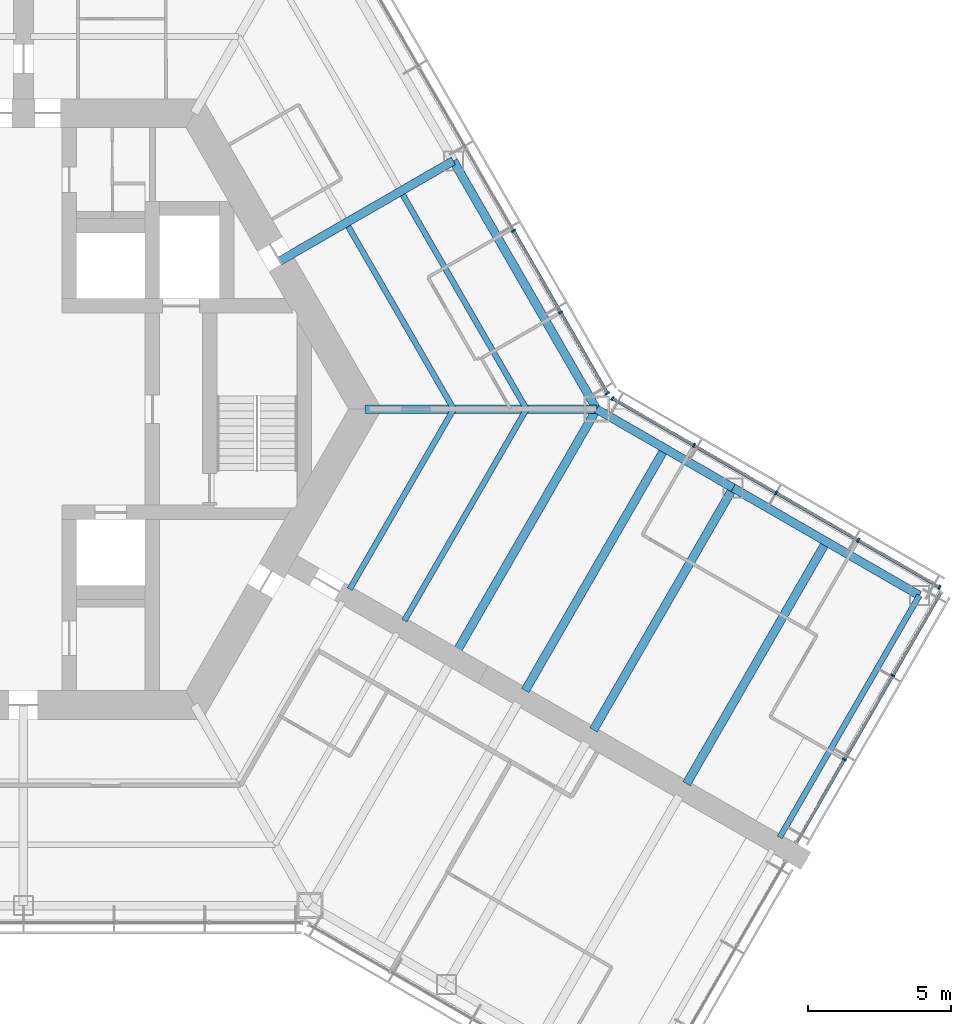
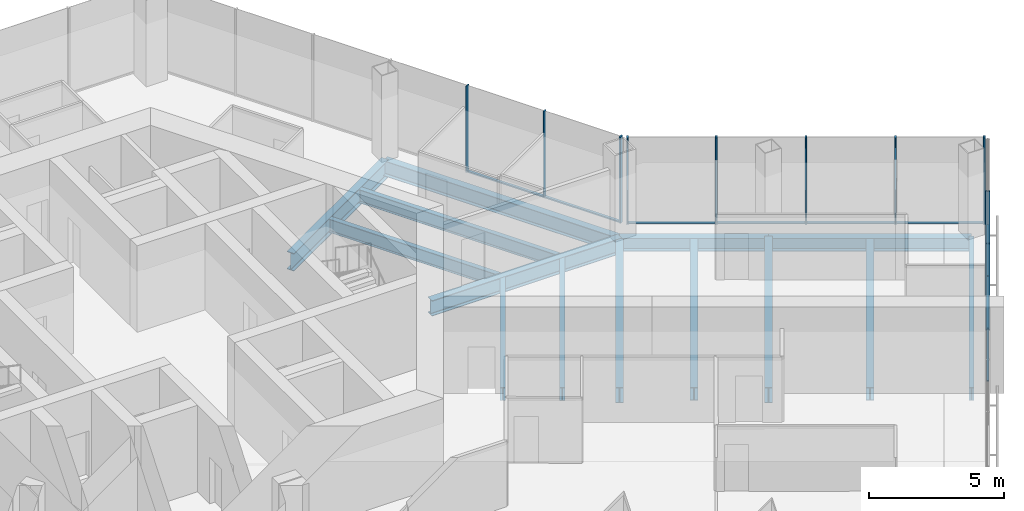
# One storey, part 6 of 18: 19 members, 14 beams, 3 elements without a shape of their own.
"""IFC4 building model written with IfcOpenShell, lengths in metres."""

from ifc_helpers import new_model, si_unit, direction, frame, origin, origin_2d, place, context, subcontext, project, spatial, rectangle, i_section, extrude, material, material_profile, profile_set, type_object, element, aggregate, save


model = new_model("IFC4")

# Units and contexts
model_context = context("Model", 3, precision=1e-05, world=origin(), true_north=direction((0.0, 1.0)))
body_context = subcontext(model_context, "Body", "Model", "MODEL_VIEW")
ifc_project = project(units=[si_unit("LENGTHUNIT", "METRE"), si_unit("AREAUNIT", "SQUARE_METRE"), si_unit("VOLUMEUNIT", "CUBIC_METRE"), si_unit("PLANEANGLEUNIT", "RADIAN"), si_unit("MASSUNIT", "GRAM", prefix="KILO")], contexts=[model_context])

# Site, building, storey
site_placement = place(None, origin())
site = spatial("IfcSite", under=ifc_project, at=site_placement, CompositionType="ELEMENT")
building_placement = place(site_placement, origin())
building = spatial("IfcBuilding", under=site, at=building_placement, Name="Kasaneha Research Tower", CompositionType="ELEMENT")
storey_placement = place(building_placement, frame((0.0, 0.0, 133.10009765625)))
storey = spatial("IfcBuildingStorey", under=building, at=storey_placement, Name="L33", CompositionType="ELEMENT", Elevation=133.10009765625)

# Beams
ifc_material_1 = material(Name="Steel SN490B", Category="steel")
ifc_material_profile_1 = material_profile(ifc_material_1, i_section(OverallWidth=0.199951171875, OverallDepth=0.60009765625, WebThickness=0.010986328125, FlangeThickness=0.01708984375, FilletRadius=0.012939453125, at=origin_2d()), Name="H-600x200x11x17")
ifc_profile_set_1 = profile_set([ifc_material_profile_1], Name="Steel SN490B")
beam_type_1 = type_object("IfcBeamType", Name="B1-3 secondary beam H-600x200x11x17", PredefinedType="JOIST", material=ifc_profile_set_1)
beam_1_placement = place(storey_placement, frame((15.010986328125, 0.0, -0.4501953125), z_axis=(-0.499994443168, 0.866028611999, 0.0), x_axis=(-0.866028611999, -0.499994443168, 0.0)))
element("IfcBeam", 1, at=beam_1_placement, inside=storey, type_object=beam_type_1, Name="Secondary beam RS030L1 L33", PredefinedType="JOIST", context=body_context, shape_type="SweptSolid", body=[
    extrude(i_section(OverallWidth=0.199951171875, OverallDepth=0.60009765625, WebThickness=0.010986328125, FlangeThickness=0.01708984375, FilletRadius=0.012939453125, at=origin_2d()), origin(), (0.0, 0.0, 1.0), 7.35546875),
])
beam_2_placement = place(storey_placement, frame((17.551513671875, 0.0, -0.4501953125), z_axis=(-0.5000050195, 0.866022505755, 0.0), x_axis=(-0.866022505755, -0.5000050195, 0.0)))
element("IfcBeam", 2, at=beam_2_placement, inside=storey, type_object=beam_type_1, Name="Secondary beam RS030L2 L33", PredefinedType="JOIST", context=body_context, shape_type="SweptSolid", body=[
    extrude(i_section(OverallWidth=0.199951171875, OverallDepth=0.60009765625, WebThickness=0.010986328125, FlangeThickness=0.01708984375, FilletRadius=0.012939453125, at=origin_2d()), origin(), (0.0, 0.0, 1.0), 8.6259765625),
])
beam_3_placement = place(storey_placement, frame((15.010986328125, 0.0, -0.4501953125), z_axis=(-0.499993340521, -0.866029248602, 0.0), x_axis=(0.866029248602, -0.499993340521, 0.0)))
element("IfcBeam", 3, at=beam_3_placement, inside=storey, type_object=beam_type_1, Name="Secondary beam RS330R1 L33", PredefinedType="JOIST", context=body_context, shape_type="SweptSolid", body=[
    extrude(i_section(OverallWidth=0.199951171875, OverallDepth=0.60009765625, WebThickness=0.010986328125, FlangeThickness=0.01708984375, FilletRadius=0.012939453125, at=origin_2d()), origin(), (0.0, 0.0, 1.0), 7.25537109375),
])
beam_4_placement = place(storey_placement, frame((17.551513671875, 0.0, -0.4501953125), z_axis=(-0.500004205306, -0.866022975836, 0.0), x_axis=(0.866022975836, -0.500004205306, 0.0)))
element("IfcBeam", 4, at=beam_4_placement, inside=storey, type_object=beam_type_1, Name="Secondary beam RS330R2 L33", PredefinedType="JOIST", context=body_context, shape_type="SweptSolid", body=[
    extrude(i_section(OverallWidth=0.199951171875, OverallDepth=0.60009765625, WebThickness=0.010986328125, FlangeThickness=0.01708984375, FilletRadius=0.012939453125, at=origin_2d()), origin(), (0.0, 0.0, 1.0), 8.52587890625),
])
ifc_material_2 = material(Name="Steel SN490B", Category="steel")
ifc_material_profile_2 = material_profile(ifc_material_2, i_section(OverallWidth=0.300048828125, OverallDepth=0.58203125, WebThickness=0.011962890625, FlangeThickness=0.01708984375, FilletRadius=0.012939453125, at=origin_2d()), Name="H-582x300x12x17")
ifc_profile_set_2 = profile_set([ifc_material_profile_2], Name="Steel SN490B")
beam_type_2 = type_object("IfcBeamType", Name="B2-3 secondary beam H-582x300x12x17", PredefinedType="JOIST", material=ifc_profile_set_2)
for number, where, z_axis, x_axis, name in (
    (5, (22.381591796875, -1.375, -0.441162109375), (-0.499995560238, -0.866027967067, 0.0), (0.866027967067, -0.499995560238, 0.0), "Secondary beam WBCN1 L33"),
    (6, (28.0107421875, -4.625, -0.441162109375), (-0.499995560238, -0.866027967067, 0.0), (0.866027967067, -0.499995560238, 0.0), "Secondary beam WBCN2 L33"),
):
    element("IfcBeam", number, at=place(storey_placement, frame(where, z_axis=z_axis, x_axis=x_axis)), inside=storey, type_object=beam_type_2, Name=name, PredefinedType="JOIST", context=body_context, shape_type="SweptSolid", body=[
        extrude(i_section(OverallWidth=0.300048828125, OverallDepth=0.58203125, WebThickness=0.011962890625, FlangeThickness=0.01708984375, FilletRadius=0.012939453125, at=origin_2d()), origin(), (0.0, 0.0, 1.0), 9.75),
    ])

# Curtain wall, members
ifc_material_3 = material(Name="Glass and aluminium", Category="aluminium")
curtain_wall_type = type_object("IfcCurtainWallType", Name="Mid-rise office curtain wall", PredefinedType="USERDEFINED", material=ifc_material_3)
curtain_wall_1_placement = place(storey_placement, origin())
curtain_wall_1 = element("IfcCurtainWall", 7, at=curtain_wall_1_placement, inside=storey, type_object=curtain_wall_type, Name="CW-O2 L33 run 04a", ObjectType="UNITISED CURTAIN WALL", PredefinedType="USERDEFINED")
ifc_material_4 = material(Name="Aluminium 6063-T6", Category="aluminium")
ifc_material_profile_3 = material_profile(ifc_material_4, rectangle(XDim=0.06005859375, YDim=0.14990234375, at=origin_2d()), Name="CW-O2 mullion 60x150")
ifc_profile_set_3 = profile_set([ifc_material_profile_3], Name="Aluminium 6063-T6")
member_type_1 = type_object("IfcMemberType", Name="CW-O2 mullion", PredefinedType="MULLION", material=ifc_profile_set_3)
member_1_placement = place(storey_placement, frame((28.64453125, -12.22705078125, 0.0), z_axis=(0.0, 0.0, 1.0), x_axis=(0.500000011442, 0.866025397178, 0.0)))
member_1 = element("IfcMember", 8, at=member_1_placement, type_object=member_type_1, Name="CW-O2 mullion 2", PredefinedType="MULLION", context=body_context, shape_type="SweptSolid", body=[
    extrude(rectangle(XDim=0.06005859375, YDim=0.14990234375, at=origin_2d()), origin(), (0.0, 0.0, 1.0), 3.89990234375),
])
member_2_placement = place(storey_placement, frame((30.336181640625, -9.297119140625, 0.0), z_axis=(0.0, 0.0, 1.0), x_axis=(0.500000011442, 0.866025397178, 0.0)))
member_2 = element("IfcMember", 9, at=member_2_placement, type_object=member_type_1, Name="CW-O2 mullion 3", PredefinedType="MULLION", context=body_context, shape_type="SweptSolid", body=[
    extrude(rectangle(XDim=0.06005859375, YDim=0.14990234375, at=origin_2d()), origin(), (0.0, 0.0, 1.0), 3.89990234375),
])

curtain_wall_2_placement = place(storey_placement, origin())
curtain_wall_2 = element("IfcCurtainWall", 10, at=curtain_wall_2_placement, inside=storey, type_object=curtain_wall_type, Name="CW-O2 L33 run 05a", ObjectType="UNITISED CURTAIN WALL", PredefinedType="USERDEFINED")
member_3_placement = place(storey_placement, frame((31.96533203125, -6.21533203125, 0.0), z_axis=(0.0, 0.0, 1.0), x_axis=(-0.866025411464, 0.499999986699, 0.0)))
member_3 = element("IfcMember", 11, at=member_3_placement, type_object=member_type_1, Name="CW-O2 mullion 1", PredefinedType="MULLION", context=body_context, shape_type="SweptSolid", body=[
    extrude(rectangle(XDim=0.06005859375, YDim=0.14990234375, at=origin_2d()), origin(), (0.0, 0.0, 1.0), 3.89990234375),
])
member_4_placement = place(storey_placement, frame((29.125, -4.575439453125, 0.0), z_axis=(0.0, 0.0, 1.0), x_axis=(-0.866025411464, 0.499999986699, 0.0)))
member_4 = element("IfcMember", 12, at=member_4_placement, type_object=member_type_1, Name="CW-O2 mullion 2", PredefinedType="MULLION", context=body_context, shape_type="SweptSolid", body=[
    extrude(rectangle(XDim=0.06005859375, YDim=0.14990234375, at=origin_2d()), origin(), (0.0, 0.0, 1.0), 3.89990234375),
])
member_5_placement = place(storey_placement, frame((26.258544921875, -2.920654296875, 0.0), z_axis=(0.0, 0.0, 1.0), x_axis=(-0.866025411464, 0.499999986699, 0.0)))
member_5 = element("IfcMember", 13, at=member_5_placement, type_object=member_type_1, Name="CW-O2 mullion 3", PredefinedType="MULLION", context=body_context, shape_type="SweptSolid", body=[
    extrude(rectangle(XDim=0.06005859375, YDim=0.14990234375, at=origin_2d()), origin(), (0.0, 0.0, 1.0), 3.89990234375),
])
member_6_placement = place(storey_placement, frame((23.39208984375, -1.265625, 0.0), z_axis=(0.0, 0.0, 1.0), x_axis=(-0.866025411464, 0.499999986699, 0.0)))
member_6 = element("IfcMember", 14, at=member_6_placement, type_object=member_type_1, Name="CW-O2 mullion 4", PredefinedType="MULLION", context=body_context, shape_type="SweptSolid", body=[
    extrude(rectangle(XDim=0.06005859375, YDim=0.14990234375, at=origin_2d()), origin(), (0.0, 0.0, 1.0), 3.89990234375),
])
member_7_placement = place(storey_placement, frame((20.5517578125, 0.374267578125, 0.0), z_axis=(0.0, 0.0, 1.0), x_axis=(-0.866025411464, 0.499999986699, 0.0)))
member_7 = element("IfcMember", 15, at=member_7_placement, type_object=member_type_1, Name="CW-O2 mullion 5", PredefinedType="MULLION", context=body_context, shape_type="SweptSolid", body=[
    extrude(rectangle(XDim=0.06005859375, YDim=0.14990234375, at=origin_2d()), origin(), (0.0, 0.0, 1.0), 3.89990234375),
])

curtain_wall_3_placement = place(storey_placement, origin())
curtain_wall_3 = element("IfcCurtainWall", 16, at=curtain_wall_3_placement, inside=storey, type_object=curtain_wall_type, Name="CW-O2 L33 run 06a", ObjectType="UNITISED CURTAIN WALL", PredefinedType="USERDEFINED")
member_8_placement = place(storey_placement, frame((20.374267578125, 0.5517578125, 0.0), z_axis=(0.0, 0.0, 1.0), x_axis=(-0.499999979232, 0.866025415775, 0.0)))
member_8 = element("IfcMember", 17, at=member_8_placement, type_object=member_type_1, Name="CW-O2 mullion 1", PredefinedType="MULLION", context=body_context, shape_type="SweptSolid", body=[
    extrude(rectangle(XDim=0.06005859375, YDim=0.14990234375, at=origin_2d()), origin(), (0.0, 0.0, 1.0), 3.89990234375),
])
member_9_placement = place(storey_placement, frame((18.7451171875, 3.373291015625, 0.0), z_axis=(0.0, 0.0, 1.0), x_axis=(-0.499999979232, 0.866025415775, 0.0)))
member_9 = element("IfcMember", 18, at=member_9_placement, type_object=member_type_1, Name="CW-O2 mullion 2", PredefinedType="MULLION", context=body_context, shape_type="SweptSolid", body=[
    extrude(rectangle(XDim=0.06005859375, YDim=0.14990234375, at=origin_2d()), origin(), (0.0, 0.0, 1.0), 3.89990234375),
])
member_10_placement = place(storey_placement, frame((17.10107421875, 6.220947265625, 0.0), z_axis=(0.0, 0.0, 1.0), x_axis=(-0.499999979232, 0.866025415775, 0.0)))
member_10 = element("IfcMember", 19, at=member_10_placement, type_object=member_type_1, Name="CW-O2 mullion 3", PredefinedType="MULLION", context=body_context, shape_type="SweptSolid", body=[
    extrude(rectangle(XDim=0.06005859375, YDim=0.14990234375, at=origin_2d()), origin(), (0.0, 0.0, 1.0), 3.89990234375),
])

# Member
ifc_material_5 = material(Name="Aluminium 6063-T6", Category="aluminium")
ifc_material_profile_4 = material_profile(ifc_material_5, rectangle(XDim=0.110107421875, YDim=0.06005859375, at=origin_2d()), Name="CW-O2 transom 110x60")
ifc_profile_set_4 = profile_set([ifc_material_profile_4], Name="Aluminium 6063-T6")
member_type_2 = type_object("IfcMemberType", Name="CW-O2 transom", PredefinedType="USERDEFINED", material=ifc_profile_set_4)
member_11_placement = place(storey_placement, frame((26.98291015625, -15.105224609375, 0.02978515625), z_axis=(0.500021914551, 0.866012751043, 0.0), x_axis=(-0.866012751043, 0.500021914551, 0.0)))
member_11 = element("IfcMember", 20, at=member_11_placement, type_object=member_type_2, Name="CW-O2 transom 1", ObjectType="TRANSOM", PredefinedType="USERDEFINED", context=body_context, shape_type="SweptSolid", body=[
    extrude(rectangle(XDim=0.110107421875, YDim=0.06005859375, at=origin_2d()), origin(), (0.0, 0.0, 1.0), 3.293212890625),
])

member_12_placement = place(storey_placement, frame((28.65966796875, -12.201171875, 0.02978515625), z_axis=(0.499978935311, 0.866037565146, 0.0), x_axis=(-0.866037565146, 0.499978935311, 0.0)))
member_12 = element("IfcMember", 21, at=member_12_placement, type_object=member_type_2, Name="CW-O2 transom 2", ObjectType="TRANSOM", PredefinedType="USERDEFINED", context=body_context, shape_type="SweptSolid", body=[
    extrude(rectangle(XDim=0.110107421875, YDim=0.06005859375, at=origin_2d()), origin(), (0.0, 0.0, 1.0), 3.323486328125),
])

member_13_placement = place(storey_placement, frame((30.351318359375, -9.27099609375, 0.02978515625), z_axis=(0.500021914551, 0.866012751043, 0.0), x_axis=(-0.866012751043, 0.500021914551, 0.0)))
member_13 = element("IfcMember", 22, at=member_13_placement, type_object=member_type_2, Name="CW-O2 transom 3", ObjectType="TRANSOM", PredefinedType="USERDEFINED", context=body_context, shape_type="SweptSolid", body=[
    extrude(rectangle(XDim=0.110107421875, YDim=0.06005859375, at=origin_2d()), origin(), (0.0, 0.0, 1.0), 3.293212890625),
])

aggregate(curtain_wall_1, [member_1, member_2, member_11, member_12, member_13])

member_14_placement = place(storey_placement, frame((31.939453125, -6.200439453125, 0.02978515625), z_axis=(-0.866041647767, 0.499971863542, 0.0), x_axis=(-0.499971863542, -0.866041647767, 0.0)))
member_14 = element("IfcMember", 23, at=member_14_placement, type_object=member_type_2, Name="CW-O2 transom 1", ObjectType="TRANSOM", PredefinedType="USERDEFINED", context=body_context, shape_type="SweptSolid", body=[
    extrude(rectangle(XDim=0.110107421875, YDim=0.06005859375, at=origin_2d()), origin(), (0.0, 0.0, 1.0), 3.219970703125),
])

member_15_placement = place(storey_placement, frame((29.098876953125, -4.560546875, 0.02978515625), z_axis=(-0.86599666273, 0.500049777664, 0.0), x_axis=(-0.500049777664, -0.86599666273, 0.0)))
member_15 = element("IfcMember", 24, at=member_15_placement, type_object=member_type_2, Name="CW-O2 transom 2", ObjectType="TRANSOM", PredefinedType="USERDEFINED", context=body_context, shape_type="SweptSolid", body=[
    extrude(rectangle(XDim=0.110107421875, YDim=0.06005859375, at=origin_2d()), origin(), (0.0, 0.0, 1.0), 3.249755859375),
])

member_16_placement = place(storey_placement, frame((26.232666015625, -2.905517578125, 0.02978515625), z_axis=(-0.86604797581, 0.499960902066, 0.0), x_axis=(-0.499960902066, -0.86604797581, 0.0)))
member_16 = element("IfcMember", 25, at=member_16_placement, type_object=member_type_2, Name="CW-O2 transom 3", ObjectType="TRANSOM", PredefinedType="USERDEFINED", context=body_context, shape_type="SweptSolid", body=[
    extrude(rectangle(XDim=0.110107421875, YDim=0.06005859375, at=origin_2d()), origin(), (0.0, 0.0, 1.0), 3.249755859375),
])

member_17_placement = place(storey_placement, frame((23.3662109375, -1.250732421875, 0.02978515625), z_axis=(-0.866022692473, 0.500004696101, 0.0), x_axis=(-0.500004696101, -0.866022692473, 0.0)))
member_17 = element("IfcMember", 26, at=member_17_placement, type_object=member_type_2, Name="CW-O2 transom 4", ObjectType="TRANSOM", PredefinedType="USERDEFINED", context=body_context, shape_type="SweptSolid", body=[
    extrude(rectangle(XDim=0.110107421875, YDim=0.06005859375, at=origin_2d()), origin(), (0.0, 0.0, 1.0), 3.2197265625),
])

aggregate(curtain_wall_2, [member_3, member_4, member_5, member_6, member_7, member_14, member_15, member_16, member_17])

member_18_placement = place(storey_placement, frame((20.359130859375, 0.577880859375, 0.02978515625), z_axis=(-0.499973578025, 0.866040657981, 0.0), x_axis=(-0.866040657981, -0.499973578025, 0.0)))
member_18 = element("IfcMember", 27, at=member_18_placement, type_object=member_type_2, Name="CW-O2 transom 1", ObjectType="TRANSOM", PredefinedType="USERDEFINED", context=body_context, shape_type="SweptSolid", body=[
    extrude(rectangle(XDim=0.110107421875, YDim=0.06005859375, at=origin_2d()), origin(), (0.0, 0.0, 1.0), 3.197998046875),
])

member_19_placement = place(storey_placement, frame((18.730224609375, 3.3994140625, 0.02978515625), z_axis=(-0.499986503906, 0.866033195618, 0.0), x_axis=(-0.866033195618, -0.499986503906, 0.0)))
member_19 = element("IfcMember", 28, at=member_19_placement, type_object=member_type_2, Name="CW-O2 transom 2", ObjectType="TRANSOM", PredefinedType="USERDEFINED", context=body_context, shape_type="SweptSolid", body=[
    extrude(rectangle(XDim=0.110107421875, YDim=0.06005859375, at=origin_2d()), origin(), (0.0, 0.0, 1.0), 3.22802734375),
])

aggregate(curtain_wall_3, [member_8, member_9, member_10, member_18, member_19])

# Beams
ifc_material_6 = material(Name="Steel SN490B", Category="steel")
ifc_material_profile_5 = material_profile(ifc_material_6, i_section(OverallWidth=0.300048828125, OverallDepth=0.699951171875, WebThickness=0.012939453125, FlangeThickness=0.02392578125, FilletRadius=0.01806640625, at=origin_2d()), Name="H-700x300x13x24")
ifc_profile_set_5 = profile_set([ifc_material_profile_5], Name="Steel SN490B")
beam_type_3 = type_object("IfcBeamType", Name="G1-3 radial girder H-700x300x13x24", PredefinedType="BEAM", material=ifc_profile_set_5)
beam_5_placement = place(storey_placement, frame((11.92236328125, 0.0, -0.5), z_axis=(1.0, 0.0, 0.0), x_axis=(0.0, 1.0, 0.0)))
element("IfcBeam", 29, at=beam_5_placement, inside=storey, type_object=beam_type_3, Name="Radial girder RV000 L33", PredefinedType="BEAM", context=body_context, shape_type="SweptSolid", body=[
    extrude(i_section(OverallWidth=0.300048828125, OverallDepth=0.699951171875, WebThickness=0.012939453125, FlangeThickness=0.02392578125, FilletRadius=0.01806640625, at=origin_2d()), origin(), (0.0, 0.0, 1.0), 8.07763671875),
])
ifc_material_7 = material(Name="Steel SN490B", Category="steel")
ifc_material_profile_6 = material_profile(ifc_material_7, i_section(OverallWidth=0.300048828125, OverallDepth=0.800048828125, WebThickness=0.013916015625, FlangeThickness=0.02587890625, FilletRadius=0.01806640625, at=origin_2d()), Name="H-800x300x14x26")
ifc_profile_set_6 = profile_set([ifc_material_profile_6], Name="Steel SN490B")
beam_type_4 = type_object("IfcBeamType", Name="G2-3 radial girder H-800x300x14x26", PredefinedType="BEAM", material=ifc_profile_set_6)
beam_6_placement = place(storey_placement, frame((8.941650390625, 5.16259765625, -0.550048828125), z_axis=(0.866039713508, 0.499975214012, 0.0), x_axis=(-0.499975214012, 0.866039713508, 0.0)))
element("IfcBeam", 30, at=beam_6_placement, inside=storey, type_object=beam_type_4, Name="Radial girder RM030 L33", PredefinedType="BEAM", context=body_context, shape_type="SweptSolid", body=[
    extrude(i_section(OverallWidth=0.300048828125, OverallDepth=0.800048828125, WebThickness=0.013916015625, FlangeThickness=0.02587890625, FilletRadius=0.01806640625, at=origin_2d()), origin(), (0.0, 0.0, 1.0), 6.995361328125),
])
ifc_material_8 = material(Name="Steel SN490B", Category="steel")
ifc_material_profile_7 = material_profile(ifc_material_8, i_section(OverallWidth=0.300048828125, OverallDepth=0.69189453125, WebThickness=0.012939453125, FlangeThickness=0.02001953125, FilletRadius=0.01806640625, at=origin_2d()), Name="H-692x300x13x20")
ifc_profile_set_7 = profile_set([ifc_material_profile_7], Name="Steel SN490B")
beam_type_5 = type_object("IfcBeamType", Name="G3-3 plate edge girder H-692x300x13x20", PredefinedType="BEAM", material=ifc_profile_set_7)
beam_7_placement = place(storey_placement, frame((20.0, 0.0, -0.49609375), z_axis=(-0.499995560238, -0.866027967067, 0.0), x_axis=(0.866027967067, -0.499995560238, 0.0)))
element("IfcBeam", 31, at=beam_7_placement, inside=storey, type_object=beam_type_5, Name="Plate edge girder PECN L33", PredefinedType="BEAM", context=body_context, shape_type="SweptSolid", body=[
    extrude(i_section(OverallWidth=0.300048828125, OverallDepth=0.69189453125, WebThickness=0.012939453125, FlangeThickness=0.02001953125, FilletRadius=0.01806640625, at=origin_2d()), origin(), (0.0, 0.0, 1.0), 9.75),
])
ifc_material_9 = material(Name="Steel SN490B", Category="steel")
ifc_material_profile_8 = material_profile(ifc_material_9, i_section(OverallWidth=0.300048828125, OverallDepth=0.699951171875, WebThickness=0.012939453125, FlangeThickness=0.02392578125, FilletRadius=0.01806640625, at=origin_2d()), Name="H-700x300x13x24")
ifc_profile_set_8 = profile_set([ifc_material_profile_8], Name="Steel SN490B")
beam_type_6 = type_object("IfcBeamType", Name="G4-3 wing girder H-700x300x13x24", PredefinedType="BEAM", material=ifc_profile_set_8)
beam_8_placement = place(storey_placement, frame((24.76318359375, -2.75, -0.5), z_axis=(-0.499995560238, -0.866027967067, 0.0), x_axis=(0.866027967067, -0.499995560238, 0.0)))
element("IfcBeam", 32, at=beam_8_placement, inside=storey, type_object=beam_type_6, Name="Wing girder WGCN L33", PredefinedType="BEAM", context=body_context, shape_type="SweptSolid", body=[
    extrude(i_section(OverallWidth=0.300048828125, OverallDepth=0.699951171875, WebThickness=0.012939453125, FlangeThickness=0.02392578125, FilletRadius=0.01806640625, at=origin_2d()), origin(), (0.0, 0.0, 1.0), 9.75),
])
ifc_material_10 = material(Name="Steel SN490B", Category="steel")
ifc_material_profile_9 = material_profile(ifc_material_10, i_section(OverallWidth=0.300048828125, OverallDepth=0.69189453125, WebThickness=0.012939453125, FlangeThickness=0.02001953125, FilletRadius=0.01806640625, at=origin_2d()), Name="H-692x300x13x20")
ifc_profile_set_9 = profile_set([ifc_material_profile_9], Name="Steel SN490B")
beam_type_7 = type_object("IfcBeamType", Name="SB1-3 spandrel beam H-692x300x13x20", PredefinedType="SPANDREL", material=ifc_profile_set_9)
beam_9_placement = place(storey_placement, frame((20.0, 0.0, -0.49609375), z_axis=(-0.500004234368, 0.866022959057, 0.0), x_axis=(-0.866022959057, -0.500004234368, 0.0)))
element("IfcBeam", 33, at=beam_9_placement, inside=storey, type_object=beam_type_7, Name="Spandrel beam SR030L L33", PredefinedType="SPANDREL", context=body_context, shape_type="SweptSolid", body=[
    extrude(i_section(OverallWidth=0.300048828125, OverallDepth=0.69189453125, WebThickness=0.012939453125, FlangeThickness=0.02001953125, FilletRadius=0.01806640625, at=origin_2d()), origin(), (0.0, 0.0, 1.0), 10.0),
])
ifc_material_11 = material(Name="Steel SN490B", Category="steel")
ifc_material_profile_10 = material_profile(ifc_material_11, i_section(OverallWidth=0.300048828125, OverallDepth=0.58203125, WebThickness=0.011962890625, FlangeThickness=0.01708984375, FilletRadius=0.012939453125, at=origin_2d()), Name="H-582x300x12x17")
ifc_profile_set_10 = profile_set([ifc_material_profile_10], Name="Steel SN490B")
beam_type_8 = type_object("IfcBeamType", Name="SB2-3 spandrel beam H-582x300x12x17", PredefinedType="SPANDREL", material=ifc_profile_set_10)
beam_10_placement = place(storey_placement, frame((20.0, 0.0, -0.441162109375), z_axis=(0.866027397988, -0.499996545922, 0.0), x_axis=(0.499996545922, 0.866027397988, 0.0)))
element("IfcBeam", 34, at=beam_10_placement, inside=storey, type_object=beam_type_8, Name="Spandrel beam WSCN1 L33", PredefinedType="SPANDREL", context=body_context, shape_type="SweptSolid", body=[
    extrude(i_section(OverallWidth=0.300048828125, OverallDepth=0.58203125, WebThickness=0.011962890625, FlangeThickness=0.01708984375, FilletRadius=0.012939453125, at=origin_2d()), origin(), (0.0, 0.0, 1.0), 5.5),
])
beam_11_placement = place(storey_placement, frame((24.76318359375, -2.75, -0.441162109375), z_axis=(0.866022959057, -0.500004234368, 0.0), x_axis=(0.500004234368, 0.866022959057, 0.0)))
element("IfcBeam", 35, at=beam_11_placement, inside=storey, type_object=beam_type_8, Name="Spandrel beam WSCN2 L33", PredefinedType="SPANDREL", context=body_context, shape_type="SweptSolid", body=[
    extrude(i_section(OverallWidth=0.300048828125, OverallDepth=0.58203125, WebThickness=0.011962890625, FlangeThickness=0.01708984375, FilletRadius=0.012939453125, at=origin_2d()), origin(), (0.0, 0.0, 1.0), 7.5),
])
ifc_material_12 = material(Name="Steel SN490B", Category="steel")
ifc_material_profile_11 = material_profile(ifc_material_12, i_section(OverallWidth=0.199951171875, OverallDepth=0.60009765625, WebThickness=0.010986328125, FlangeThickness=0.01708984375, FilletRadius=0.012939453125, at=origin_2d()), Name="H-600x200x11x17")
ifc_profile_set_11 = profile_set([ifc_material_profile_11], Name="Steel SN490B")
beam_type_9 = type_object("IfcBeamType", Name="SB3-3 spandrel beam H-600x200x11x17", PredefinedType="SPANDREL", material=ifc_profile_set_11)
beam_12_placement = place(storey_placement, frame((31.25830078125, -6.5, -0.4501953125), z_axis=(-0.499995560238, -0.866027967067, 0.0), x_axis=(0.866027967067, -0.499995560238, 0.0)))
element("IfcBeam", 36, at=beam_12_placement, inside=storey, type_object=beam_type_9, Name="Spandrel beam WTCN L33", PredefinedType="SPANDREL", context=body_context, shape_type="SweptSolid", body=[
    extrude(i_section(OverallWidth=0.199951171875, OverallDepth=0.60009765625, WebThickness=0.010986328125, FlangeThickness=0.01708984375, FilletRadius=0.012939453125, at=origin_2d()), origin(), (0.0, 0.0, 1.0), 9.75),
])

save(model, "model.ifc")
